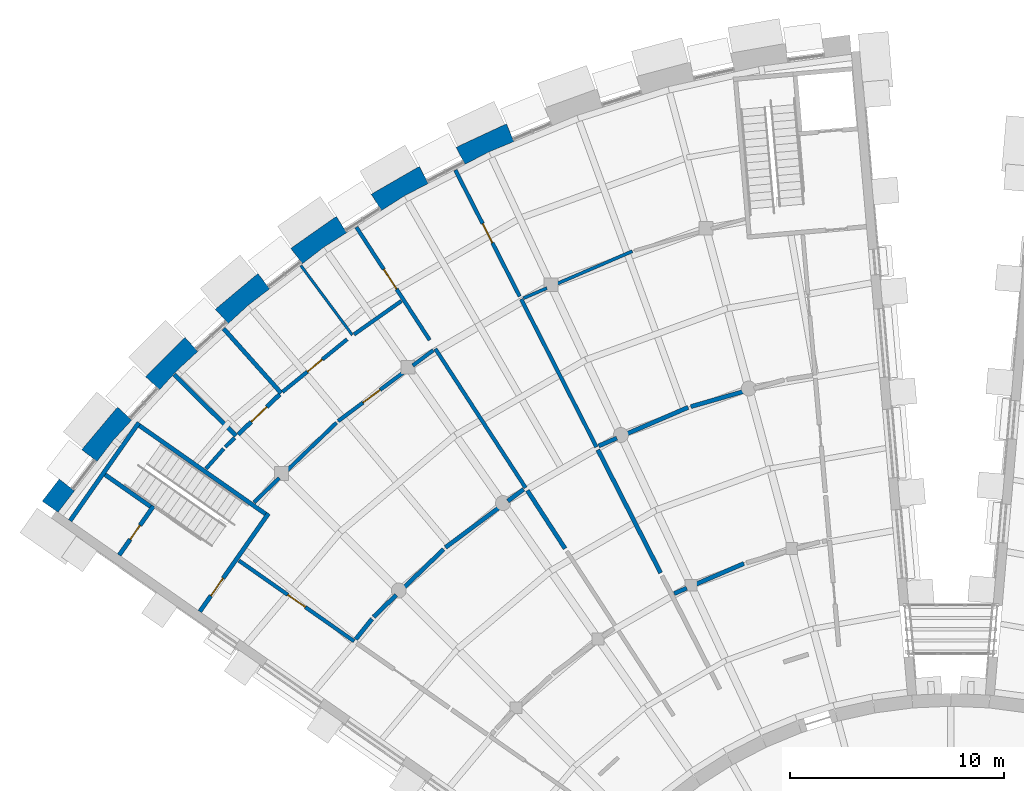
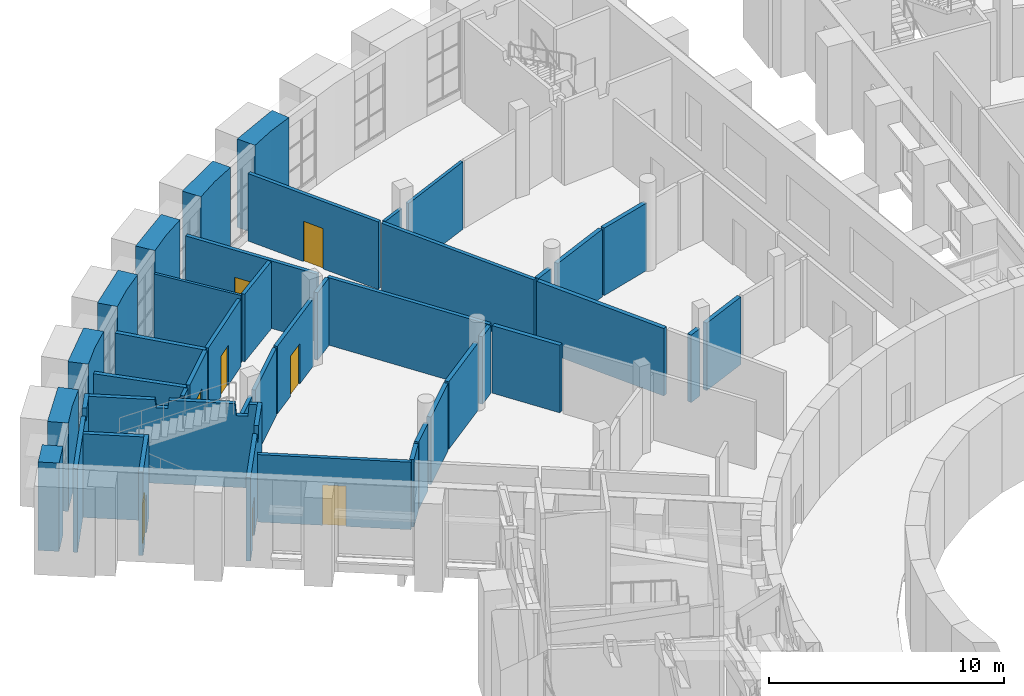
# One storey, part 47 of 66: 43 walls, 8 doors, 8 openings.
"""IFC4 building model written with IfcOpenShell, lengths in metres."""

from ifc_helpers import new_model, si_unit, direction, frame, frame_2d, origin, place, context, subcontext, project, spatial, polyline, rectangle, outline, extrude, material, layer, layer_set, type_object, element, fill, save


model = new_model("IFC4")

# Units and contexts
model_context = context("Model", 3, precision=1e-05, world=origin(), true_north=direction((0.0, 1.0)))
body_context = subcontext(model_context, "Body", "Model", "MODEL_VIEW")
ifc_project = project(units=[si_unit("LENGTHUNIT", "METRE"), si_unit("AREAUNIT", "SQUARE_METRE"), si_unit("VOLUMEUNIT", "CUBIC_METRE"), si_unit("PLANEANGLEUNIT", "RADIAN"), si_unit("MASSUNIT", "GRAM", prefix="KILO")], contexts=[model_context])

# Site, building, storey
site_placement = place(None, origin())
site = spatial("IfcSite", under=ifc_project, at=site_placement, CompositionType="ELEMENT")
building_placement = place(site_placement, origin())
building = spatial("IfcBuilding", under=site, at=building_placement, Name="Volute Hill Aquarium", CompositionType="ELEMENT")
storey_placement = place(building_placement, frame((0.0, 0.0, 4.60009765625)))
storey = spatial("IfcBuildingStorey", under=building, at=storey_placement, Name="L02", CompositionType="ELEMENT", Elevation=4.60009765625)

# Walls
ifc_material_1 = material(Name="Gypsum board on steel studs", Category="steel")
ifc_layer_1 = layer(ifc_material_1, 0.14990234375)
ifc_layer_set_1 = layer_set([ifc_layer_1], Name="Acoustic partition 150")
wall_type_1 = type_object("IfcWallType", Name="Acoustic partition 150", PredefinedType="PARTITIONING", material=ifc_layer_set_1)
wall_1_placement = place(storey_placement, frame((-18.462158203125, 40.12890625, 0.0), z_axis=(0.0, 0.0, 1.0), x_axis=(0.918233153658, 0.396040244828, 0.0)))
element("IfcWall", 1, at=wall_1_placement, inside=storey, type_object=wall_type_1, Name="pw/S6/L02/019", PredefinedType="PARTITIONING", context=body_context, shape_type="SweptSolid", body=[
    extrude(rectangle(XDim=3.887939453125, YDim=0.14990234375, at=frame_2d((1.94384765625, 0.0))), origin(), (0.0, 0.0, 1.0), 3.510009765625),
])
wall_2_placement = place(storey_placement, frame((-19.981201171875, 39.4736328125, 0.0), z_axis=(0.0, 0.0, 1.0), x_axis=(0.918224308599, 0.396060751776, 0.0)))
element("IfcWall", 2, at=wall_2_placement, inside=storey, type_object=wall_type_1, Name="pw/S6/L02/046", PredefinedType="PARTITIONING", context=body_context, shape_type="SweptSolid", body=[
    extrude(rectangle(XDim=1.196533203125, YDim=0.14990234375, at=frame_2d((0.59814453125, 0.0))), origin(), (0.0, 0.0, 1.0), 3.510009765625),
])

# Wall, opening, door
ifc_material_2 = material(Name="Concrete C30/37", Category="concrete")
ifc_layer_2 = layer(ifc_material_2, 0.199951171875)
ifc_layer_set_2 = layer_set([ifc_layer_2], Name="Core wall 200 REI 60")
wall_type_2 = type_object("IfcWallType", Name="Core wall 200 REI 60", PredefinedType="SHEAR", material=ifc_layer_set_2)
wall_3_placement = place(storey_placement, frame((-35.10888671875, 24.82763671875, 0.0), z_axis=(0.0, 0.0, 1.0), x_axis=(0.573599855614, 0.819135645446, 0.0)))
wall_3 = element("IfcWall", 3, at=wall_3_placement, inside=storey, type_object=wall_type_2, Name="wc/S6-B/L02/in", PredefinedType="SHEAR", context=body_context, shape_type="SweptSolid", body=[
    extrude(outline(polyline([(0.0, 0.0), (5.60009765625, 0.0), (5.60009765625, 4.349853515625), (3.853271484375, 4.349853515625), (3.80322265625, 3.77978515625), (3.30322265625, 3.77978515625), (3.25341796875, 4.349853515625), (0.0, 4.349853515625), (0.0, 0.0)])), frame((0.0, 0.10009765625, 0.0), z_axis=(0.0, -1.0, 0.0), x_axis=(1.0, 0.0, 0.0)), (0.0, 0.0, 1.0), 0.199951171875),
])
opening_1_placement = place(wall_3_placement, frame((0.89990234375, 0.0, 0.0)))
opening_1 = element("IfcOpeningElement", 4, at=opening_1_placement, cuts=wall_3, Name="Opening D6.02.BS", PredefinedType="OPENING", context=body_context, shape_type="SweptSolid", body=[
    extrude(rectangle(XDim=1.0, YDim=2.10009765625, at=frame_2d((0.5, 1.050048828125))), frame((0.0, 0.10986328125, 0.0), z_axis=(0.0, -1.0, 0.0), x_axis=(1.0, 0.0, 0.0)), (0.0, 0.0, 1.0), 0.219970703125),
])
ifc_material_3 = material(Name="Timber, fire-rated", Category="wood")
door_type_1 = type_object("IfcDoorType", Name="Door 1000 x 2100 single EI1 30", OperationType="SINGLE_SWING_LEFT", PredefinedType="DOOR", material=ifc_material_3)
door_1_placement = place(opening_1_placement, origin())
door_1 = element("IfcDoor", 5, at=door_1_placement, inside=storey, type_object=door_type_1, Name="d/S6-B/L02/st", OperationType="SINGLE_SWING_RIGHT", OverallHeight=2.10009765625, OverallWidth=1.0, PredefinedType="DOOR", context=body_context, shape_type="SweptSolid", body=[
    extrude(rectangle(XDim=1.0, YDim=2.10009765625, at=frame_2d((0.5, 1.050048828125))), frame((0.0, 0.02490234375, 0.0), z_axis=(0.0, -1.0, 0.0), x_axis=(1.0, 0.0, 0.0)), (0.0, 0.0, 1.0), 0.050048828125),
])
fill(opening_1, door_1)

# Walls
wall_4_placement = place(storey_placement, frame((-32.0361328125, 29.390380859375, 0.0), z_axis=(0.0, 0.0, 1.0), x_axis=(-0.819161821637, 0.573562472597, 0.0)))
element("IfcWall", 6, at=wall_4_placement, inside=storey, type_object=wall_type_2, Name="wc/S6-B/L02/side", PredefinedType="SHEAR", context=body_context, shape_type="SweptSolid", body=[
    extrude(outline(polyline([(0.0, 0.0), (7.199951171875, 0.0), (7.199951171875, 4.349853515625), (4.36767578125, 4.349853515625), (4.317626953125, 3.929931640625), (3.817626953125, 3.929931640625), (3.767578125, 4.349853515625), (0.942626953125, 4.349853515625), (0.892578125, 3.72998046875), (0.392578125, 3.72998046875), (0.342529296875, 4.349853515625), (0.0, 4.349853515625), (0.0, 0.0)])), frame((0.0, 0.10009765625, 0.0), z_axis=(0.0, -1.0, 0.0), x_axis=(1.0, 0.0, 0.0)), (0.0, 0.0, 1.0), 0.199951171875),
])
wall_5_placement = place(storey_placement, frame((-41.17041015625, 29.072021484375, 0.0), z_axis=(0.0, 0.0, 1.0), x_axis=(0.573570601961, 0.819156129542, 0.0)))
element("IfcWall", 7, at=wall_5_placement, inside=storey, type_object=wall_type_2, Name="wc/S6-B/L02/out", PredefinedType="SHEAR", context=body_context, shape_type="SweptSolid", body=[
    extrude(outline(polyline([(0.0, 0.0), (5.599853515625, 0.0), (5.599853515625, 4.349853515625), (4.51806640625, 4.349853515625), (4.468017578125, 3.929931640625), (3.968017578125, 3.929931640625), (3.918212890625, 4.349853515625), (0.0, 4.349853515625), (0.0, 0.0)])), frame((0.0, 0.10009765625, 0.0), z_axis=(0.0, -1.0, 0.0), x_axis=(1.0, 0.0, 0.0)), (0.0, 0.0, 1.0), 0.199951171875),
])
ifc_material_4 = material(Name="Gypsum board on steel studs", Category="steel")
ifc_layer_3 = layer(ifc_material_4, 0.175048828125)
ifc_layer_set_3 = layer_set([ifc_layer_3], Name="Corridor partition 175 EI 60")
wall_type_3 = type_object("IfcWallType", Name="Corridor partition 175 EI 60", PredefinedType="PARTITIONING", material=ifc_layer_set_3)
wall_6_placement = place(storey_placement, frame((-19.87939453125, 30.611572265625, 0.0), z_axis=(0.0, 0.0, 1.0), x_axis=(-0.544649472572, 0.838663789624, 0.0)))
element("IfcWall", 8, at=wall_6_placement, inside=storey, type_object=wall_type_3, Name="pw/S6/L02/002", PredefinedType="PARTITIONING", context=body_context, shape_type="SweptSolid", body=[
    extrude(rectangle(XDim=7.749755859375, YDim=0.175048828125, at=frame_2d((3.875, 0.0))), origin(), (0.0, 0.0, 1.0), 3.510009765625),
])
wall_7_placement = place(storey_placement, frame((-20.089111328125, 39.427001953125, 0.0), z_axis=(0.0, 0.0, 1.0), x_axis=(0.454005059644, -0.890999105397, 0.0)))
element("IfcWall", 9, at=wall_7_placement, inside=storey, type_object=wall_type_3, Name="pw/S6/L02/003", PredefinedType="PARTITIONING", context=body_context, shape_type="SweptSolid", body=[
    extrude(rectangle(XDim=7.75, YDim=0.175048828125, at=frame_2d((3.875, 0.0))), origin(), (0.0, 0.0, 1.0), 3.510009765625),
])

# Wall, opening, door
wall_8_placement = place(storey_placement, frame((-23.1640625, 45.462158203125, 0.0), z_axis=(0.0, 0.0, 1.0), x_axis=(0.453983208185, -0.891010239383, 0.0)))
wall_8 = element("IfcWall", 10, at=wall_8_placement, inside=storey, type_object=wall_type_3, Name="pw/S6/L02/004", PredefinedType="PARTITIONING", context=body_context, shape_type="SweptSolid", body=[
    extrude(rectangle(XDim=6.623291015625, YDim=0.175048828125, at=frame_2d((3.3115234375, 0.0))), origin(), (0.0, 0.0, 1.0), 3.510009765625),
])
opening_2_placement = place(wall_8_placement, frame((2.811767578125, 0.0, 0.0)))
opening_2 = element("IfcOpeningElement", 11, at=opening_2_placement, cuts=wall_8, Name="Opening D6.02.07", PredefinedType="OPENING", context=body_context, shape_type="SweptSolid", body=[
    extrude(rectangle(XDim=1.0, YDim=2.10009765625, at=frame_2d((0.5, 1.050048828125))), frame((0.0, 0.097412109375, 0.0), z_axis=(0.0, -1.0, 0.0), x_axis=(1.0, 0.0, 0.0)), (0.0, 0.0, 1.0), 0.195068359375),
])
door_2_placement = place(opening_2_placement, origin())
door_2 = element("IfcDoor", 12, at=door_2_placement, inside=storey, type_object=door_type_1, Name="d/S6/L02/07", OperationType="SINGLE_SWING_LEFT", OverallHeight=2.10009765625, OverallWidth=1.0, PredefinedType="DOOR", context=body_context, shape_type="SweptSolid", body=[
    extrude(rectangle(XDim=1.0, YDim=2.10009765625, at=frame_2d((0.5, 1.050048828125))), frame((0.0, 0.02490234375, 0.0), z_axis=(0.0, -1.0, 0.0), x_axis=(1.0, 0.0, 0.0)), (0.0, 0.0, 1.0), 0.050048828125),
])
fill(opening_2, door_2)

wall_9_placement = place(storey_placement, frame((-33.281494140625, 27.21044921875, 0.0), z_axis=(0.0, 0.0, 1.0), x_axis=(0.819156902999, -0.573569497331, 0.0)))
wall_9 = element("IfcWall", 13, at=wall_9_placement, inside=storey, type_object=wall_type_3, Name="pw/S6/L02/006", PredefinedType="PARTITIONING", context=body_context, shape_type="SweptSolid", body=[
    extrude(rectangle(XDim=6.574951171875, YDim=0.175048828125, at=frame_2d((3.28759765625, 0.0))), origin(), (0.0, 0.0, 1.0), 3.510009765625),
])
opening_3_placement = place(wall_9_placement, frame((2.78759765625, 0.0, 0.0)))
opening_3 = element("IfcOpeningElement", 14, at=opening_3_placement, cuts=wall_9, Name="Opening D6.02.06", PredefinedType="OPENING", context=body_context, shape_type="SweptSolid", body=[
    extrude(rectangle(XDim=1.0, YDim=2.10009765625, at=frame_2d((0.5, 1.050048828125))), frame((0.0, 0.097412109375, 0.0), z_axis=(0.0, -1.0, 0.0), x_axis=(1.0, 0.0, 0.0)), (0.0, 0.0, 1.0), 0.195068359375),
])
door_3_placement = place(opening_3_placement, origin())
door_3 = element("IfcDoor", 15, at=door_3_placement, inside=storey, type_object=door_type_1, Name="d/S6/L02/06", OperationType="SINGLE_SWING_RIGHT", OverallHeight=2.10009765625, OverallWidth=1.0, PredefinedType="DOOR", context=body_context, shape_type="SweptSolid", body=[
    extrude(rectangle(XDim=1.0, YDim=2.10009765625, at=frame_2d((0.5, 1.050048828125))), frame((0.0, 0.02490234375, 0.0), z_axis=(0.0, -1.0, 0.0), x_axis=(1.0, 0.0, 0.0)), (0.0, 0.0, 1.0), 0.050048828125),
])
fill(opening_3, door_3)

wall_10_placement = place(storey_placement, frame((-24.364990234375, 37.518798828125, 0.0), z_axis=(0.0, 0.0, 1.0), x_axis=(-0.544641624285, 0.838668886448, 0.0)))
wall_10 = element("IfcWall", 16, at=wall_10_placement, inside=storey, type_object=wall_type_3, Name="pw/S6/L02/008", PredefinedType="PARTITIONING", context=body_context, shape_type="SweptSolid", body=[
    extrude(rectangle(XDim=6.287353515625, YDim=0.175048828125, at=frame_2d((3.1435546875, 0.0))), origin(), (0.0, 0.0, 1.0), 3.510009765625),
])
opening_4_placement = place(wall_10_placement, frame((2.843505859375, 0.0, 0.0)))
opening_4 = element("IfcOpeningElement", 17, at=opening_4_placement, cuts=wall_10, Name="Opening D6.02.08", PredefinedType="OPENING", context=body_context, shape_type="SweptSolid", body=[
    extrude(rectangle(XDim=1.10009765625, YDim=2.10009765625, at=frame_2d((0.550048828125, 1.050048828125))), frame((0.0, 0.097412109375, 0.0), z_axis=(0.0, -1.0, 0.0), x_axis=(1.0, 0.0, 0.0)), (0.0, 0.0, 1.0), 0.195068359375),
])
ifc_material_5 = material(Name="Timber, fire-rated", Category="wood")
door_type_2 = type_object("IfcDoorType", Name="Door 1100 x 2100 accessible WC EI1 30", OperationType="SINGLE_SWING_LEFT", PredefinedType="DOOR", material=ifc_material_5)
door_4_placement = place(opening_4_placement, origin())
door_4 = element("IfcDoor", 18, at=door_4_placement, inside=storey, type_object=door_type_2, Name="d/S6/L02/08", OperationType="SINGLE_SWING_RIGHT", OverallHeight=2.10009765625, OverallWidth=1.10009765625, PredefinedType="DOOR", context=body_context, shape_type="SweptSolid", body=[
    extrude(rectangle(XDim=1.10009765625, YDim=2.10009765625, at=frame_2d((0.550048828125, 1.050048828125))), frame((0.0, 0.02490234375, 0.0), z_axis=(0.0, -1.0, 0.0), x_axis=(1.0, 0.0, 0.0)), (0.0, 0.0, 1.0), 0.050048828125),
])
fill(opening_4, door_4)

wall_11_placement = place(storey_placement, frame((-28.222412109375, 37.553955078125, 0.0), z_axis=(0.0, 0.0, 1.0), x_axis=(-0.775402094993, -0.631467806845, 0.0)))
wall_11 = element("IfcWall", 19, at=wall_11_placement, inside=storey, type_object=wall_type_3, Name="pw/S6/L02/017", PredefinedType="PARTITIONING", context=body_context, shape_type="SweptSolid", body=[
    extrude(rectangle(XDim=3.89453125, YDim=0.175048828125, at=frame_2d((1.947265625, 0.0))), origin(), (0.0, 0.0, 1.0), 3.510009765625),
])
opening_5_placement = place(wall_11_placement, frame((1.4970703125, 0.0, 0.0)))
opening_5 = element("IfcOpeningElement", 20, at=opening_5_placement, cuts=wall_11, Name="Opening D6.02.10", PredefinedType="OPENING", context=body_context, shape_type="SweptSolid", body=[
    extrude(rectangle(XDim=0.89990234375, YDim=2.10009765625, at=frame_2d((0.449951171875, 1.050048828125))), frame((0.0, 0.097412109375, 0.0), z_axis=(0.0, -1.0, 0.0), x_axis=(1.0, 0.0, 0.0)), (0.0, 0.0, 1.0), 0.195068359375),
])
ifc_material_6 = material(Name="Timber, fire-rated", Category="wood")
door_type_3 = type_object("IfcDoorType", Name="Door 900 x 2100 wc single EI1 30", OperationType="SINGLE_SWING_LEFT", PredefinedType="DOOR", material=ifc_material_6)
door_5_placement = place(opening_5_placement, origin())
door_5 = element("IfcDoor", 21, at=door_5_placement, inside=storey, type_object=door_type_3, Name="d/S6/L02/10", OperationType="SINGLE_SWING_RIGHT", OverallHeight=2.10009765625, OverallWidth=0.89990234375, PredefinedType="DOOR", context=body_context, shape_type="SweptSolid", body=[
    extrude(rectangle(XDim=0.89990234375, YDim=2.10009765625, at=frame_2d((0.449951171875, 1.050048828125))), frame((0.0, 0.02490234375, 0.0), z_axis=(0.0, -1.0, 0.0), x_axis=(1.0, 0.0, 0.0)), (0.0, 0.0, 1.0), 0.050048828125),
])
fill(opening_5, door_5)

wall_12_placement = place(storey_placement, frame((-28.64013671875, 33.7314453125, 0.0), z_axis=(0.0, 0.0, 1.0), x_axis=(0.802142294319, 0.597132932992, 0.0)))
wall_12 = element("IfcWall", 22, at=wall_12_placement, inside=storey, type_object=wall_type_3, Name="pw/S6/L02/018", PredefinedType="PARTITIONING", context=body_context, shape_type="SweptSolid", body=[
    extrude(rectangle(XDim=3.88818359375, YDim=0.175048828125, at=frame_2d((1.944091796875, 0.0))), origin(), (0.0, 0.0, 1.0), 3.510009765625),
])
opening_6_placement = place(wall_12_placement, frame((1.444091796875, 0.0, 0.0)))
opening_6 = element("IfcOpeningElement", 23, at=opening_6_placement, cuts=wall_12, Name="Opening D6.02.09", PredefinedType="OPENING", context=body_context, shape_type="SweptSolid", body=[
    extrude(rectangle(XDim=1.0, YDim=2.10009765625, at=frame_2d((0.5, 1.050048828125))), frame((0.0, 0.097412109375, 0.0), z_axis=(0.0, -1.0, 0.0), x_axis=(1.0, 0.0, 0.0)), (0.0, 0.0, 1.0), 0.195068359375),
])
door_6_placement = place(opening_6_placement, origin())
door_6 = element("IfcDoor", 24, at=door_6_placement, inside=storey, type_object=door_type_1, Name="d/S6/L02/09", OperationType="SINGLE_SWING_LEFT", OverallHeight=2.10009765625, OverallWidth=1.0, PredefinedType="DOOR", context=body_context, shape_type="SweptSolid", body=[
    extrude(rectangle(XDim=1.0, YDim=2.10009765625, at=frame_2d((0.5, 1.050048828125))), frame((0.0, 0.02490234375, 0.0), z_axis=(0.0, -1.0, 0.0), x_axis=(1.0, 0.0, 0.0)), (0.0, 0.0, 1.0), 0.050048828125),
])
fill(opening_6, door_6)

# Walls
wall_13_placement = place(storey_placement, frame((-33.91552734375, 32.523681640625, 0.0), z_axis=(0.0, 0.0, 1.0), x_axis=(0.719380474715, 0.694616248441, 0.0)))
element("IfcWall", 25, at=wall_13_placement, inside=storey, type_object=wall_type_3, Name="pw/S6/L02/021", PredefinedType="PARTITIONING", context=body_context, shape_type="SweptSolid", body=[
    extrude(rectangle(XDim=0.601318359375, YDim=0.175048828125, at=frame_2d((0.30078125, 0.0))), origin(), (0.0, 0.0, 1.0), 3.510009765625),
])
wall_14_placement = place(storey_placement, frame((-31.069580078125, 31.38525390625, 0.0), z_axis=(0.0, 0.0, 1.0), x_axis=(0.719318869097, 0.694680044741, 0.0)))
element("IfcWall", 26, at=wall_14_placement, inside=storey, type_object=wall_type_3, Name="pw/S6/L02/024", PredefinedType="PARTITIONING", context=body_context, shape_type="SweptSolid", body=[
    extrude(rectangle(XDim=3.260009765625, YDim=0.175048828125, at=frame_2d((1.6298828125, 0.0))), origin(), (0.0, 0.0, 1.0), 3.510009765625),
])
wall_15_placement = place(storey_placement, frame((-27.89794921875, 37.78271484375, 0.0), z_axis=(0.0, 0.0, 1.0), x_axis=(0.817117986764, 0.576470463863, 0.0)))
element("IfcWall", 27, at=wall_15_placement, inside=storey, type_object=wall_type_3, Name="pw/S6/L02/025", PredefinedType="PARTITIONING", context=body_context, shape_type="SweptSolid", body=[
    extrude(rectangle(XDim=2.70361328125, YDim=0.175048828125, at=frame_2d((1.351806640625, 0.0))), origin(), (0.0, 0.0, 1.0), 3.510009765625),
])
wall_16_placement = place(storey_placement, frame((-32.577880859375, 29.928466796875, 0.0), z_axis=(0.0, 0.0, 1.0), x_axis=(0.719296786021, 0.69470291033, 0.0)))
element("IfcWall", 28, at=wall_16_placement, inside=storey, type_object=wall_type_3, Name="pw/S6/L02/038", PredefinedType="PARTITIONING", context=body_context, shape_type="SweptSolid", body=[
    extrude(rectangle(XDim=1.64794921875, YDim=0.175048828125, at=frame_2d((0.823974609375, 0.0))), origin(), (0.0, 0.0, 1.0), 3.510009765625),
])
wall_17_placement = place(storey_placement, frame((-34.82373046875, 31.5009765625, 0.0), z_axis=(0.0, 0.0, 1.0), x_axis=(0.663988099317, 0.747743140366, 0.0)))
element("IfcWall", 29, at=wall_17_placement, inside=storey, type_object=wall_type_3, Name="pw/S6/L02/044", PredefinedType="PARTITIONING", context=body_context, shape_type="SweptSolid", body=[
    extrude(rectangle(XDim=1.25048828125, YDim=0.175048828125, at=frame_2d((0.625244140625, 0.0))), origin(), (0.0, 0.0, 1.0), 3.510009765625),
])
wall_18_placement = place(storey_placement, frame((-25.154296875, 36.326416015625, 0.0), z_axis=(0.0, 0.0, 1.0), x_axis=(0.802076382744, 0.597221463315, 0.0)))
element("IfcWall", 30, at=wall_18_placement, inside=storey, type_object=wall_type_3, Name="pw/S6/L02/045", PredefinedType="PARTITIONING", context=body_context, shape_type="SweptSolid", body=[
    extrude(rectangle(XDim=1.196533203125, YDim=0.175048828125, at=frame_2d((0.59814453125, 0.0))), origin(), (0.0, 0.0, 1.0), 3.510009765625),
])
ifc_material_7 = material(Name="Masonry blockwork", Category="masonry")
ifc_layer_4 = layer(ifc_material_7, 0.199951171875)
ifc_layer_set_4 = layer_set([ifc_layer_4], Name="Fire partition 200 EI 60")
wall_type_4 = type_object("IfcWallType", Name="Fire partition 200 EI 60", PredefinedType="PARTITIONING", material=ifc_layer_set_4)
wall_19_placement = place(storey_placement, frame((-13.56884765625, 26.630615234375, 0.0), z_axis=(0.0, 0.0, 1.0), x_axis=(-0.454031618181, 0.890985572101, 0.0)))
element("IfcWall", 31, at=wall_19_placement, inside=storey, type_object=wall_type_4, Name="pw/S6/L02/005", PredefinedType="PARTITIONING", context=body_context, shape_type="SweptSolid", body=[
    extrude(rectangle(XDim=6.461669921875, YDim=0.199951171875, at=frame_2d((3.23095703125, 0.0))), origin(), (0.0, 0.0, 1.0), 3.510009765625),
])
wall_20_placement = place(storey_placement, frame((-33.412109375, 33.041015625, 0.0), z_axis=(0.0, 0.0, 1.0), x_axis=(-0.711026666225, 0.703165044578, 0.0)))
element("IfcWall", 32, at=wall_20_placement, inside=storey, type_object=wall_type_4, Name="pw/S6/L02/014", PredefinedType="PARTITIONING", context=body_context, shape_type="SweptSolid", body=[
    extrude(rectangle(XDim=4.068115234375, YDim=0.199951171875, at=frame_2d((2.0341796875, 0.0))), origin(), (0.0, 0.0, 1.0), 3.510009765625),
])
wall_21_placement = place(storey_placement, frame((-31.306884765625, 35.0419921875, 0.0), z_axis=(0.0, 0.0, 1.0), x_axis=(-0.666273010503, 0.745707902248, 0.0)))
element("IfcWall", 33, at=wall_21_placement, inside=storey, type_object=wall_type_4, Name="pw/S6/L02/016", PredefinedType="PARTITIONING", context=body_context, shape_type="SweptSolid", body=[
    extrude(rectangle(XDim=4.035400390625, YDim=0.199951171875, at=frame_2d((2.017578125, 0.0))), origin(), (0.0, 0.0, 1.0), 3.510009765625),
])
wall_22_placement = place(storey_placement, frame((-19.797607421875, 30.485595703125, 0.0), z_axis=(0.0, 0.0, 1.0), x_axis=(0.544664723854, -0.838653884859, 0.0)))
element("IfcWall", 34, at=wall_22_placement, inside=storey, type_object=wall_type_4, Name="pw/S6/L02/020", PredefinedType="PARTITIONING", context=body_context, shape_type="SweptSolid", body=[
    extrude(rectangle(XDim=3.2353515625, YDim=0.199951171875, at=frame_2d((1.61767578125, 0.0))), origin(), (0.0, 0.0, 1.0), 3.510009765625),
])

# Wall, opening, door
wall_23_placement = place(storey_placement, frame((-33.310302734375, 33.1083984375, 0.0), z_axis=(0.0, 0.0, 1.0), x_axis=(0.719387385226, 0.694609091488, 0.0)))
wall_23 = element("IfcWall", 35, at=wall_23_placement, inside=storey, type_object=wall_type_4, Name="pw/S6/L02/022", PredefinedType="PARTITIONING", context=body_context, shape_type="SweptSolid", body=[
    extrude(rectangle(XDim=2.68994140625, YDim=0.199951171875, at=frame_2d((1.344970703125, 0.0))), origin(), (0.0, 0.0, 1.0), 3.510009765625),
])
opening_7_placement = place(wall_23_placement, frame((0.844970703125, 0.0, 0.0)))
opening_7 = element("IfcOpeningElement", 36, at=opening_7_placement, cuts=wall_23, Name="Opening D6.02.11", PredefinedType="OPENING", context=body_context, shape_type="SweptSolid", body=[
    extrude(rectangle(XDim=1.0, YDim=2.10009765625, at=frame_2d((0.5, 1.050048828125))), frame((0.0, 0.10986328125, 0.0), z_axis=(0.0, -1.0, 0.0), x_axis=(1.0, 0.0, 0.0)), (0.0, 0.0, 1.0), 0.219970703125),
])
door_7_placement = place(opening_7_placement, origin())
door_7 = element("IfcDoor", 37, at=door_7_placement, inside=storey, type_object=door_type_1, Name="d/S6/L02/11", OperationType="SINGLE_SWING_LEFT", OverallHeight=2.10009765625, OverallWidth=1.0, PredefinedType="DOOR", context=body_context, shape_type="SweptSolid", body=[
    extrude(rectangle(XDim=1.0, YDim=2.10009765625, at=frame_2d((0.5, 1.050048828125))), frame((0.0, 0.02490234375, 0.0), z_axis=(0.0, -1.0, 0.0), x_axis=(1.0, 0.0, 0.0)), (0.0, 0.0, 1.0), 0.050048828125),
])
fill(opening_7, door_7)

# Walls
wall_24_placement = place(storey_placement, frame((-15.188720703125, 33.117919921875, 0.0), z_axis=(0.0, 0.0, 1.0), x_axis=(0.918224420865, 0.396060491501, 0.0)))
element("IfcWall", 38, at=wall_24_placement, inside=storey, type_object=wall_type_4, Name="pw/S6/L02/026", PredefinedType="PARTITIONING", context=body_context, shape_type="SweptSolid", body=[
    extrude(rectangle(XDim=3.16357421875, YDim=0.199951171875, at=frame_2d((1.581787109375, 0.0))), origin(), (0.0, 0.0, 1.0), 3.510009765625),
])
wall_25_placement = place(storey_placement, frame((-23.6240234375, 27.82373046875, 0.0), z_axis=(0.0, 0.0, 1.0), x_axis=(0.802134350782, 0.597143603579, 0.0)))
element("IfcWall", 39, at=wall_25_placement, inside=storey, type_object=wall_type_4, Name="pw/S6/L02/027", PredefinedType="PARTITIONING", context=body_context, shape_type="SweptSolid", body=[
    extrude(rectangle(XDim=3.163330078125, YDim=0.199951171875, at=frame_2d((1.58154296875, 0.0))), origin(), (0.0, 0.0, 1.0), 3.510009765625),
])
wall_26_placement = place(storey_placement, frame((-12.1591796875, 34.406494140625, 0.0), z_axis=(0.0, 0.0, 1.0), x_axis=(0.961251857381, 0.275671664633, 0.0)))
element("IfcWall", 40, at=wall_26_placement, inside=storey, type_object=wall_type_4, Name="pw/S6/L02/028", PredefinedType="PARTITIONING", context=body_context, shape_type="SweptSolid", body=[
    extrude(rectangle(XDim=2.61181640625, YDim=0.199951171875, at=frame_2d((1.305908203125, 0.0))), origin(), (0.0, 0.0, 1.0), 3.510009765625),
])
wall_27_placement = place(storey_placement, frame((-25.59619140625, 25.919189453125, 0.0), z_axis=(0.0, 0.0, 1.0), x_axis=(0.719338638239, 0.694659573847, 0.0)))
element("IfcWall", 41, at=wall_27_placement, inside=storey, type_object=wall_type_4, Name="pw/S6/L02/029", PredefinedType="PARTITIONING", context=body_context, shape_type="SweptSolid", body=[
    extrude(rectangle(XDim=2.611572265625, YDim=0.199951171875, at=frame_2d((1.3056640625, 0.0))), origin(), (0.0, 0.0, 1.0), 3.510009765625),
])
wall_28_placement = place(storey_placement, frame((-11.915771484375, 26.106689453125, 0.0), z_axis=(0.0, 0.0, 1.0), x_axis=(0.918205503365, 0.396104346847, 0.0)))
element("IfcWall", 42, at=wall_28_placement, inside=storey, type_object=wall_type_4, Name="pw/S6/L02/031", PredefinedType="PARTITIONING", context=body_context, shape_type="SweptSolid", body=[
    extrude(rectangle(XDim=2.439453125, YDim=0.199951171875, at=frame_2d((1.2197265625, 0.0))), origin(), (0.0, 0.0, 1.0), 3.510009765625),
])
wall_29_placement = place(storey_placement, frame((-26.982177734375, 24.580810546875, 0.0), z_axis=(0.0, 0.0, 1.0), x_axis=(0.719392860406, 0.694603420951, 0.0)))
element("IfcWall", 43, at=wall_29_placement, inside=storey, type_object=wall_type_4, Name="pw/S6/L02/040", PredefinedType="PARTITIONING", context=body_context, shape_type="SweptSolid", body=[
    extrude(rectangle(XDim=1.467529296875, YDim=0.199951171875, at=frame_2d((0.73388671875, 0.0))), origin(), (0.0, 0.0, 1.0), 3.510009765625),
])
wall_30_placement = place(storey_placement, frame((-27.822265625, 23.531005859375, 0.0), z_axis=(0.0, 0.0, 1.0), x_axis=(0.624793104766, 0.780790353575, 0.0)))
element("IfcWall", 44, at=wall_30_placement, inside=storey, type_object=wall_type_4, Name="pw/S6/L02/043", PredefinedType="PARTITIONING", context=body_context, shape_type="SweptSolid", body=[
    extrude(rectangle(XDim=1.21435546875, YDim=0.199951171875, at=frame_2d((0.607177734375, 0.0))), origin(), (0.0, 0.0, 1.0), 3.510009765625),
])
wall_31_placement = place(storey_placement, frame((-16.462646484375, 32.568359375, 0.0), z_axis=(0.0, 0.0, 1.0), x_axis=(0.918198003285, 0.396121732253, 0.0)))
element("IfcWall", 45, at=wall_31_placement, inside=storey, type_object=wall_type_4, Name="pw/S6/L02/051", PredefinedType="PARTITIONING", context=body_context, shape_type="SweptSolid", body=[
    extrude(rectangle(XDim=0.922607421875, YDim=0.199951171875, at=frame_2d((0.46142578125, 0.0))), origin(), (0.0, 0.0, 1.0), 3.510009765625),
])
wall_32_placement = place(storey_placement, frame((-20.713623046875, 29.990478515625, 0.0), z_axis=(0.0, 0.0, 1.0), x_axis=(0.802186053372, 0.597074145961, 0.0)))
element("IfcWall", 46, at=wall_32_placement, inside=storey, type_object=wall_type_4, Name="pw/S6/L02/052", PredefinedType="PARTITIONING", context=body_context, shape_type="SweptSolid", body=[
    extrude(rectangle(XDim=0.92236328125, YDim=0.199951171875, at=frame_2d((0.461181640625, 0.0))), origin(), (0.0, 0.0, 1.0), 3.510009765625),
])
wall_33_placement = place(storey_placement, frame((-12.932861328125, 25.66796875, 0.0), z_axis=(0.0, 0.0, 1.0), x_axis=(0.918290455345, 0.395907362425, 0.0)))
element("IfcWall", 47, at=wall_33_placement, inside=storey, type_object=wall_type_4, Name="pw/S6/L02/054", PredefinedType="PARTITIONING", context=body_context, shape_type="SweptSolid", body=[
    extrude(rectangle(XDim=0.636962890625, YDim=0.199951171875, at=frame_2d((0.318359375, 0.0))), origin(), (0.0, 0.0, 1.0), 3.510009765625),
])
ifc_material_8 = material(Name="Precast concrete C40/50", Category="concrete")
ifc_layer_5 = layer(ifc_material_8, 0.89990234375)
ifc_layer_set_5 = layer_set([ifc_layer_5], Name="Outer pier precast concrete C40/50 900")
wall_type_5 = type_object("IfcWallType", Name="Outer pier precast concrete C40/50 900", PredefinedType="NOTDEFINED", material=ifc_layer_set_5)
wall_34_placement = place(storey_placement, origin())
element("IfcWall", 48, at=wall_34_placement, inside=storey, type_object=wall_type_5, Name="Outer pier OWP S6 L02 5", PredefinedType="NOTDEFINED", context=body_context, shape_type="SweptSolid", body=[
    extrude(outline(polyline([(-20.4296875, 46.794921875), (-20.774169921875, 47.62646484375), (-23.130615234375, 46.527587890625), (-22.715087890625, 45.729248046875), (-21.595703125, 46.31201171875), (-20.4296875, 46.794921875)])), origin(), (0.0, 0.0, 1.0), 4.599853515625),
])
wall_35_placement = place(storey_placement, origin())
element("IfcWall", 49, at=wall_35_placement, inside=storey, type_object=wall_type_5, Name="Outer pier OWP S6 L02 6", PredefinedType="NOTDEFINED", context=body_context, shape_type="SweptSolid", body=[
    extrude(outline(polyline([(-24.430419921875, 44.836181640625), (-24.845947265625, 45.634521484375), (-27.09765625, 44.33447265625), (-26.6142578125, 43.575439453125), (-25.5498046875, 44.25341796875), (-24.430419921875, 44.836181640625)])), origin(), (0.0, 0.0, 1.0), 4.599853515625),
])
wall_36_placement = place(storey_placement, origin())
element("IfcWall", 50, at=wall_36_placement, inside=storey, type_object=wall_type_5, Name="Outer pier OWP S6 L02 7", PredefinedType="NOTDEFINED", context=body_context, shape_type="SweptSolid", body=[
    extrude(outline(polyline([(-28.2451171875, 42.536376953125), (-28.728759765625, 43.29541015625), (-30.858642578125, 41.803955078125), (-30.310791015625, 41.090087890625), (-29.3095703125, 41.8583984375), (-28.2451171875, 42.536376953125)])), origin(), (0.0, 0.0, 1.0), 4.599853515625),
])
wall_37_placement = place(storey_placement, origin())
element("IfcWall", 51, at=wall_37_placement, inside=storey, type_object=wall_type_5, Name="Outer pier OWP S6 L02 8", PredefinedType="NOTDEFINED", context=body_context, shape_type="SweptSolid", body=[
    extrude(outline(polyline([(-31.844970703125, 39.912841796875), (-32.392822265625, 40.626708984375), (-34.384765625, 38.95556640625), (-33.776611328125, 38.2919921875), (-32.84619140625, 39.14453125), (-31.844970703125, 39.912841796875)])), origin(), (0.0, 0.0, 1.0), 4.599853515625),
])
wall_38_placement = place(storey_placement, origin())
element("IfcWall", 52, at=wall_38_placement, inside=storey, type_object=wall_type_5, Name="Outer pier OWP S6 L02 9", PredefinedType="NOTDEFINED", context=body_context, shape_type="SweptSolid", body=[
    extrude(outline(polyline([(-35.202392578125, 36.985595703125), (-35.810546875, 37.649169921875), (-37.649169921875, 35.810546875), (-36.985595703125, 35.202392578125), (-36.1328125, 36.1328125), (-35.202392578125, 36.985595703125)])), origin(), (0.0, 0.0, 1.0), 4.599853515625),
])
wall_39_placement = place(storey_placement, origin())
element("IfcWall", 53, at=wall_39_placement, inside=storey, type_object=wall_type_5, Name="Outer pier OWP S6 L02 10", PredefinedType="NOTDEFINED", context=body_context, shape_type="SweptSolid", body=[
    extrude(outline(polyline([(-38.2919921875, 33.776611328125), (-38.95556640625, 34.384765625), (-40.626953125, 32.392822265625), (-39.912841796875, 31.844970703125), (-39.14453125, 32.84619140625), (-38.2919921875, 33.776611328125)])), origin(), (0.0, 0.0, 1.0), 4.599853515625),
])
wall_40_placement = place(storey_placement, origin())
element("IfcWall", 54, at=wall_40_placement, inside=storey, type_object=wall_type_5, Name="Outer pier OWP S6 L02 11", PredefinedType="NOTDEFINED", context=body_context, shape_type="SweptSolid", body=[
    extrude(outline(polyline([(-40.96826171875, 30.469482421875), (-41.68212890625, 31.017578125), (-42.474365234375, 29.985107421875), (-41.736572265625, 29.46826171875), (-40.96826171875, 30.469482421875)])), origin(), (0.0, 0.0, 1.0), 4.599853515625),
])

# Wall, opening, door
ifc_material_9 = material(Name="Masonry blockwork", Category="masonry")
ifc_layer_6 = layer(ifc_material_9, 0.199951171875)
ifc_layer_set_6 = layer_set([ifc_layer_6], Name="Riser wall 200 EI 60")
wall_type_6 = type_object("IfcWallType", Name="Riser wall 200 EI 60", PredefinedType="SOLIDWALL", material=ifc_layer_set_6)
wall_41_placement = place(storey_placement, frame((-38.876953125, 27.466064453125, 0.0), z_axis=(0.0, 0.0, 1.0), x_axis=(0.573550118428, 0.819170471667, 0.0)))
wall_41 = element("IfcWall", 55, at=wall_41_placement, inside=storey, type_object=wall_type_6, Name="wc/S6-B/L02/front", PredefinedType="SOLIDWALL", context=body_context, shape_type="SweptSolid", body=[
    extrude(rectangle(XDim=2.800048828125, YDim=0.199951171875, at=frame_2d((1.39990234375, 0.0))), origin(), (0.0, 0.0, 1.0), 4.349853515625),
])
opening_8_placement = place(wall_41_placement, frame((0.89990234375, 0.0, 0.0)))
opening_8 = element("IfcOpeningElement", 56, at=opening_8_placement, cuts=wall_41, Name="Opening D6.02.BR", PredefinedType="OPENING", context=body_context, shape_type="SweptSolid", body=[
    extrude(rectangle(XDim=0.800048828125, YDim=2.10009765625, at=frame_2d((0.39990234375, 1.050048828125))), frame((0.0, 0.10986328125, 0.0), z_axis=(0.0, -1.0, 0.0), x_axis=(1.0, 0.0, 0.0)), (0.0, 0.0, 1.0), 0.219970703125),
])
ifc_material_10 = material(Name="Steel, fire-rated", Category="steel")
door_type_4 = type_object("IfcDoorType", Name="Door 800 x 2100 riser EI1 30", OperationType="SINGLE_SWING_LEFT", PredefinedType="DOOR", material=ifc_material_10)
door_8_placement = place(opening_8_placement, origin())
door_8 = element("IfcDoor", 57, at=door_8_placement, inside=storey, type_object=door_type_4, Name="d/S6-B/L02/rs", OperationType="SINGLE_SWING_LEFT", OverallHeight=2.10009765625, OverallWidth=0.800048828125, PredefinedType="DOOR", context=body_context, shape_type="SweptSolid", body=[
    extrude(rectangle(XDim=0.800048828125, YDim=2.10009765625, at=frame_2d((0.39990234375, 1.050048828125))), frame((0.0, 0.02490234375, 0.0), z_axis=(0.0, -1.0, 0.0), x_axis=(1.0, 0.0, 0.0)), (0.0, 0.0, 1.0), 0.050048828125),
])
fill(opening_8, door_8)

# Walls
wall_42_placement = place(storey_placement, frame((-37.41015625, 29.735107421875, 0.0), z_axis=(0.0, 0.0, 1.0), x_axis=(-0.819178980414, 0.573537965655, 0.0)))
element("IfcWall", 58, at=wall_42_placement, inside=storey, type_object=wall_type_6, Name="wc/S6-B/L02/shaft-side", PredefinedType="SOLIDWALL", context=body_context, shape_type="SweptSolid", body=[
    extrude(rectangle(XDim=2.60009765625, YDim=0.199951171875, at=frame_2d((1.300048828125, 0.0))), origin(), (0.0, 0.0, 1.0), 4.349853515625),
])
ifc_material_11 = material(Name="Gypsum board on steel studs, tiled", Category="steel")
ifc_layer_7 = layer(ifc_material_11, 0.125)
ifc_layer_set_7 = layer_set([ifc_layer_7], Name="Wet-area partition 125")
wall_type_7 = type_object("IfcWallType", Name="Wet-area partition 125", PredefinedType="PARTITIONING", material=ifc_layer_set_7)
wall_43_placement = place(storey_placement, frame((-27.978515625, 37.752685546875, 0.0), z_axis=(0.0, 0.0, 1.0), x_axis=(-0.595405362165, 0.803425450621, 0.0)))
element("IfcWall", 59, at=wall_43_placement, inside=storey, type_object=wall_type_7, Name="pw/S6/L02/015", PredefinedType="PARTITIONING", context=body_context, shape_type="SweptSolid", body=[
    extrude(rectangle(XDim=4.03857421875, YDim=0.125, at=frame_2d((2.019287109375, 0.0))), origin(), (0.0, 0.0, 1.0), 3.510009765625),
])

save(model, "model.ifc")
